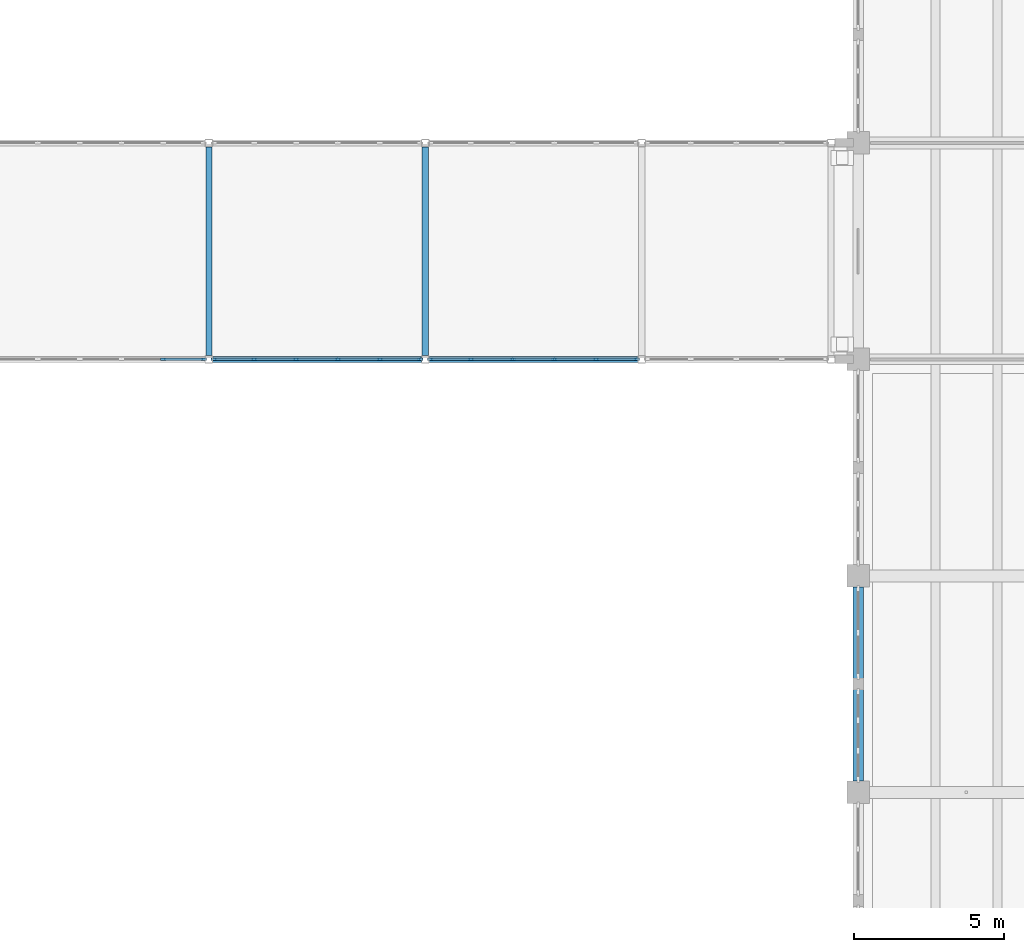
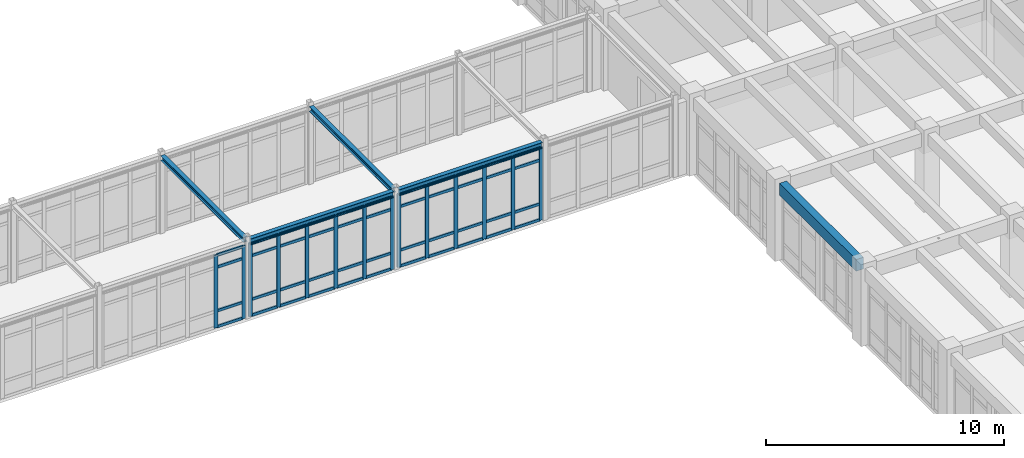
# One storey, part 58 of 136: 58 members, 5 beams, 3 elements without a shape of their own.
"""IFC4 building model written with IfcOpenShell, lengths in metres."""

import ifcopenshell
import ifcopenshell.guid

model = None  # the IFC model being written
_history = None  # IfcOwnerHistory: only IFC2X3 demands one
_inside = {}  # id of a spatial element -> (the spatial element, [elements in it])
_under = {}  # id of a project, library or spatial element -> (it, [spatial elements below it])
_declared = {}  # id of a project -> (the project, [libraries it declares])
_typed = {}  # id of a type object -> (the type object, [elements of that type])
_made_of = {}  # id of a material, layer set ... -> (it, [elements and type objects made of it])


def new_model(schema):
    """Start an empty IFC model of exactly this schema.

    Asked for "IFC4X3", IfcOpenShell would pick the latest addendum, in which some entities
    have other attributes; the version numbers below select the first issue.
    IFC2X3 requires an IfcOwnerHistory on every rooted entity: one is made here for all.
    """
    global model, _history
    if schema == "IFC4X3":
        model = ifcopenshell.file(schema_version=(4, 3, 0, 0))
    else:
        model = ifcopenshell.file(schema=schema)
    _inside.clear()
    _under.clear()
    _declared.clear()
    _typed.clear()
    _made_of.clear()
    _history = None
    if model.schema == "IFC2X3":
        org = make("IfcOrganization", Name="unknown")
        user = make(
            "IfcPersonAndOrganization",
            ThePerson=make("IfcPerson", FamilyName="unknown"),
            TheOrganization=org,
        )
        app = make(
            "IfcApplication",
            ApplicationDeveloper=org,
            Version="unknown",
            ApplicationFullName="unknown",
            ApplicationIdentifier="unknown",
        )
        _history = make(
            "IfcOwnerHistory",
            OwningUser=user,
            OwningApplication=app,
            ChangeAction="ADDED",
            CreationDate=0,
        )
    return model


def make(cls, **values):
    """One entity of the class cls with the attributes given. An attribute that is None is left unset."""
    return model.create_entity(
        cls, **{name: value for name, value in values.items() if value is not None}
    )


def rooted(cls, **values):
    """An entity with a GlobalId (a new one), such as an element, a storey or a relation."""
    return make(cls, GlobalId=ifcopenshell.guid.new(), OwnerHistory=_history, **values)


def si_unit(unit_type, name, prefix=None):
    """IfcSIUnit, for example si_unit("LENGTHUNIT", "METRE", prefix="MILLI")."""
    return make("IfcSIUnit", UnitType=unit_type, Prefix=prefix, Name=name)


def assignment(units):
    """IfcUnitAssignment: the units of a project."""
    return None if units is None else make("IfcUnitAssignment", Units=units)


def point(xyz):
    """IfcCartesianPoint."""
    return None if xyz is None else make("IfcCartesianPoint", Coordinates=xyz)


def direction(xyz):
    """IfcDirection."""
    return None if xyz is None else make("IfcDirection", DirectionRatios=xyz)


def frame(location, z_axis=None, x_axis=None):
    """IfcAxis2Placement3D, a coordinate frame: its origin and axes. An axis left out is left unset."""
    return make(
        "IfcAxis2Placement3D",
        Location=point(location),
        Axis=direction(z_axis),
        RefDirection=direction(x_axis),
    )


def frame_2d(location, x_axis=None):
    """IfcAxis2Placement2D, a coordinate frame in the plane: its origin and x axis."""
    return make(
        "IfcAxis2Placement2D", Location=point(location), RefDirection=direction(x_axis)
    )


def origin():
    """The frame at (0, 0, 0) with its axes left unset."""
    return frame((0.0, 0.0, 0.0))


def origin_2d():
    """The frame at (0, 0) in the plane with its x axis left unset."""
    return frame_2d((0.0, 0.0))


def place(relative_to, where):
    """IfcLocalPlacement: puts the frame where relative to a parent placement (None: the world)."""
    return make(
        "IfcLocalPlacement", PlacementRelTo=relative_to, RelativePlacement=where
    )


def context(
    kind, dimensions, precision=None, world=None, true_north=None, identifier=None
):
    """IfcGeometricRepresentationContext, for example the 3D "Model" context."""
    return make(
        "IfcGeometricRepresentationContext",
        ContextIdentifier=identifier,
        ContextType=kind,
        CoordinateSpaceDimension=dimensions,
        Precision=precision,
        WorldCoordinateSystem=world,
        TrueNorth=true_north,
    )


def subcontext(parent, identifier, kind, view, scale=None):
    """IfcGeometricRepresentationSubContext, for example "Body" below "Model"."""
    return make(
        "IfcGeometricRepresentationSubContext",
        ContextIdentifier=identifier,
        ContextType=kind,
        ParentContext=parent,
        TargetScale=scale,
        TargetView=view,
    )


def project(units=None, contexts=None):
    """IfcProject with its units and contexts."""
    return rooted(
        "IfcProject",
        Name="project",
        RepresentationContexts=contexts,
        UnitsInContext=assignment(units),
    )


def spatial(cls, under=None, at=None, **own):
    """A site, building, storey or space (cls), placed at a placement, below another one or the project."""
    s = rooted(cls, ObjectPlacement=at, **own)
    if under is not None:
        _under.setdefault(under.id(), (under, []))[1].append(s)
    return s


def profile(cls, at=None, kind="AREA", **sizes):
    """A parametric profile (cls). Its sizes go by their IFC names, for example OverallWidth=200.0."""
    return make(cls, ProfileType=kind, Position=at, **sizes)


def rectangle(**sizes):
    """IfcRectangleProfileDef."""
    return profile("IfcRectangleProfileDef", **sizes)


def i_section(**sizes):
    """IfcIShapeProfileDef."""
    return profile("IfcIShapeProfileDef", **sizes)


def extrude(swept, where, along, depth):
    """IfcExtrudedAreaSolid: the profile swept, set in the frame where, extruded along a direction by depth."""
    return make(
        "IfcExtrudedAreaSolid",
        SweptArea=swept,
        Position=where,
        ExtrudedDirection=direction(along),
        Depth=depth,
    )


def shape(context_of_items, identifier, shape_type, items):
    """IfcShapeRepresentation: the items that make up one representation, for example the "Body"."""
    return make(
        "IfcShapeRepresentation",
        ContextOfItems=context_of_items,
        RepresentationIdentifier=identifier,
        RepresentationType=shape_type,
        Items=items,
    )


def material(Name=None, Category=None):
    """IfcMaterial."""
    return make("IfcMaterial", Name=Name, Category=Category)


def layer(
    of_material, thickness, ventilated=None, Name=None, Category=None, Priority=None
):
    """IfcMaterialLayer: one layer of a wall or slab, of a material (None: an air gap)."""
    return make(
        "IfcMaterialLayer",
        Material=of_material,
        LayerThickness=thickness,
        IsVentilated=ventilated,
        Name=Name,
        Category=Category,
        Priority=Priority,
    )


def layer_set(layers, Name=None):
    """IfcMaterialLayerSet."""
    return make("IfcMaterialLayerSet", MaterialLayers=layers, LayerSetName=Name)


def material_profile(
    of_material, cross_section, Name=None, Category=None, Priority=None
):
    """IfcMaterialProfile: a cross section and its material."""
    return make(
        "IfcMaterialProfile",
        Name=Name,
        Material=of_material,
        Profile=cross_section,
        Priority=Priority,
        Category=Category,
    )


def profile_set(profiles, Name=None, composite=None):
    """IfcMaterialProfileSet."""
    return make(
        "IfcMaterialProfileSet",
        Name=Name,
        MaterialProfiles=profiles,
        CompositeProfile=composite,
    )


def made_of(thing, what):
    """Note that an element or type object is made of a material, layer set ...; save() writes the relation."""
    if what is not None:
        _made_of.setdefault(what.id(), (what, []))[1].append(thing)
    return thing


def type_object(cls, material=None, **own):
    """A type object (cls), such as IfcWallType, which elements share."""
    return made_of(rooted(cls, **own), material)


def element(
    cls,
    number,
    at=None,
    inside=None,
    cuts=None,
    type_object=None,
    material=None,
    context=None,
    identifier="Body",
    shape_type=None,
    held_by="IfcProductDefinitionShape",
    body=None,
    shapes=None,
    **own,
):
    """One element of the class cls, such as IfcWall. Its Tag is "e" and its number.

    at: its placement. inside: the storey or other place that contains it. cuts: it is an
    opening in that element (IfcRelVoidsElement). A single representation is given by context,
    identifier, shape_type and body (its items); several are given by shapes. held_by: the class
    of the entity that holds the representations. save() writes the other relations.
    """
    e = rooted(cls, Tag="e%d" % number, ObjectPlacement=at, **own)
    if body is not None:
        shapes = [shape(context, identifier, shape_type, body)]
    if shapes is not None:
        e.Representation = make(held_by, Representations=shapes)
    if inside is not None:
        _inside.setdefault(inside.id(), (inside, []))[1].append(e)
    if cuts is not None:
        rooted(
            "IfcRelVoidsElement", RelatingBuildingElement=cuts, RelatedOpeningElement=e
        )
    if type_object is not None:
        _typed.setdefault(type_object.id(), (type_object, []))[1].append(e)
    return made_of(e, material)


def aggregate(whole, parts):
    """IfcRelAggregates: a whole, such as a stair, and the parts it consists of."""
    return rooted("IfcRelAggregates", RelatingObject=whole, RelatedObjects=parts)


def save(model, path):
    """Write the relations noted so far, then the file.

    IfcRelAggregates (storeys below a building ...), IfcRelContainedInSpatialStructure (elements
    in a storey), IfcRelDefinesByType, IfcRelAssociatesMaterial and IfcRelDeclares: one each for
    every whole, place, type object, material and project.
    """
    for whole, parts in _under.values():
        aggregate(whole, parts)
    for where, things in _inside.values():
        rooted(
            "IfcRelContainedInSpatialStructure",
            RelatedElements=things,
            RelatingStructure=where,
        )
    for kind, things in _typed.values():
        rooted("IfcRelDefinesByType", RelatedObjects=things, RelatingType=kind)
    for what, things in _made_of.values():
        rooted("IfcRelAssociatesMaterial", RelatedObjects=things, RelatingMaterial=what)
    for by, libraries in _declared.values():
        rooted("IfcRelDeclares", RelatingContext=by, RelatedDefinitions=libraries)
    model.write(path)


model = new_model("IFC4")

# Units and contexts
model_context = context("Model", 3, precision=1e-05, world=origin(), true_north=direction((0.0, 1.0)))
body_context = subcontext(model_context, "Body", "Model", "MODEL_VIEW")
ifc_project = project(units=[si_unit("LENGTHUNIT", "METRE"), si_unit("AREAUNIT", "SQUARE_METRE"), si_unit("VOLUMEUNIT", "CUBIC_METRE"), si_unit("PLANEANGLEUNIT", "RADIAN"), si_unit("MASSUNIT", "GRAM", prefix="KILO")], contexts=[model_context])

# Site, building, storey
site_placement = place(None, origin())
site = spatial("IfcSite", under=ifc_project, at=site_placement, CompositionType="ELEMENT")
building_placement = place(site_placement, origin())
building = spatial("IfcBuilding", under=site, at=building_placement, Name="Koriwan Promenade Central Fire Station", CompositionType="ELEMENT")
storey_placement = place(building_placement, frame((0.0, 0.0, 5.39990234375)))
storey = spatial("IfcBuildingStorey", under=building, at=storey_placement, Name="L01", CompositionType="ELEMENT", Elevation=5.39990234375)

# Beam
ifc_material_1 = material(Name="Concrete C35/45", Category="concrete")
ifc_material_profile_1 = material_profile(ifc_material_1, rectangle(XDim=0.35009765625, YDim=0.60009765625, at=origin_2d()), Name="RC-BM-350x600")
ifc_profile_set_1 = profile_set([ifc_material_profile_1], Name="Concrete C35/45")
beam_type_1 = type_object("IfcBeamType", Name="Beam_RC-BM-350x600", PredefinedType="BEAM", material=ifc_profile_set_1)
beam_1_placement = place(storey_placement, frame((151.199951171875, 29.175048828125, 3.650146484375), z_axis=(0.0, 1.0, 0.0), x_axis=(-1.0, 0.0, 0.0)))
element("IfcBeam", 1, at=beam_1_placement, inside=storey, type_object=beam_type_1, Name="V5 L01 girder Y-664", PredefinedType="BEAM", context=body_context, shape_type="SweptSolid", body=[
    extrude(rectangle(XDim=0.35009765625, YDim=0.60009765625, at=origin_2d()), origin(), (0.0, 0.0, 1.0), 6.449951171875),
])

# Curtain wall, members
ifc_material_2 = material(Name="Aluminium EN AW-6063-T6 and low-E glazing", Category="aluminium")
ifc_layer = layer(ifc_material_2, 0.159912109375, Name="Aluminium EN AW-6063-T6 and low-E glazing")
ifc_layer_set = layer_set([ifc_layer], Name="Aluminium EN AW-6063-T6 and low-E glazing")
curtain_wall_type = type_object("IfcCurtainWallType", Name="CurtainWall_98_695x374", PredefinedType="USERDEFINED", material=ifc_layer_set)
curtain_wall_1_placement = place(storey_placement, origin())
curtain_wall_1 = element("IfcCurtainWall", 2, at=curtain_wall_1_placement, inside=storey, type_object=curtain_wall_type, Name="V5 L01 unitised curtain wall 310", ObjectType="UNITISED CURTAIN WALL", PredefinedType="USERDEFINED")
ifc_material_3 = material(Name="Aluminium EN AW-6063-T6", Category="aluminium")
ifc_material_profile_2 = material_profile(ifc_material_3, rectangle(XDim=0.074951171875, YDim=0.179931640625, at=origin_2d()), Name="ALU-MUL-75x180")
ifc_profile_set_2 = profile_set([ifc_material_profile_2], Name="Aluminium EN AW-6063-T6")
member_type_1 = type_object("IfcMemberType", Name="CWMullion_ALU-MUL-75x180", PredefinedType="MULLION", material=ifc_profile_set_2)
member_1_placement = place(storey_placement, frame((128.0849609375, 43.199951171875, 0.0), z_axis=(0.0, 0.0, 1.0), x_axis=(0.0, 1.0, 0.0)))
member_1 = element("IfcMember", 3, at=member_1_placement, type_object=member_type_1, Name="CW-98 mullion 5", PredefinedType="MULLION", context=body_context, shape_type="SweptSolid", body=[
    extrude(rectangle(XDim=0.074951171875, YDim=0.179931640625, at=origin_2d()), origin(), (0.0, 0.0, 1.0), 3.739990234375),
])
member_2_placement = place(storey_placement, frame((129.4375, 43.199951171875, 0.0), z_axis=(0.0, 0.0, 1.0), x_axis=(0.0, 1.0, 0.0)))
member_2 = element("IfcMember", 4, at=member_2_placement, type_object=member_type_1, Name="CW-98 mullion 6", PredefinedType="MULLION", context=body_context, shape_type="SweptSolid", body=[
    extrude(rectangle(XDim=0.074951171875, YDim=0.179931640625, at=origin_2d()), origin(), (0.0, 0.0, 1.0), 3.739990234375),
])

curtain_wall_2_placement = place(storey_placement, origin())
curtain_wall_2 = element("IfcCurtainWall", 5, at=curtain_wall_2_placement, inside=storey, type_object=curtain_wall_type, Name="V5 L01 unitised curtain wall 312", ObjectType="UNITISED CURTAIN WALL", PredefinedType="USERDEFINED")
member_3_placement = place(storey_placement, frame((129.762451171875, 43.199951171875, 0.0), z_axis=(0.0, 0.0, 1.0), x_axis=(0.0, 1.0, 0.0)))
member_3 = element("IfcMember", 6, at=member_3_placement, type_object=member_type_1, Name="CW-98 mullion 1", PredefinedType="MULLION", context=body_context, shape_type="SweptSolid", body=[
    extrude(rectangle(XDim=0.074951171875, YDim=0.179931640625, at=origin_2d()), origin(), (0.0, 0.0, 1.0), 3.739990234375),
])
member_4_placement = place(storey_placement, frame((131.114990234375, 43.199951171875, 0.0), z_axis=(0.0, 0.0, 1.0), x_axis=(0.0, 1.0, 0.0)))
member_4 = element("IfcMember", 7, at=member_4_placement, type_object=member_type_1, Name="CW-98 mullion 2", PredefinedType="MULLION", context=body_context, shape_type="SweptSolid", body=[
    extrude(rectangle(XDim=0.074951171875, YDim=0.179931640625, at=origin_2d()), origin(), (0.0, 0.0, 1.0), 3.739990234375),
])
member_5_placement = place(storey_placement, frame((132.5048828125, 43.199951171875, 0.0), z_axis=(0.0, 0.0, 1.0), x_axis=(0.0, 1.0, 0.0)))
member_5 = element("IfcMember", 8, at=member_5_placement, type_object=member_type_1, Name="CW-98 mullion 3", PredefinedType="MULLION", context=body_context, shape_type="SweptSolid", body=[
    extrude(rectangle(XDim=0.074951171875, YDim=0.179931640625, at=origin_2d()), origin(), (0.0, 0.0, 1.0), 3.739990234375),
])
member_6_placement = place(storey_placement, frame((133.89501953125, 43.199951171875, 0.0), z_axis=(0.0, 0.0, 1.0), x_axis=(0.0, 1.0, 0.0)))
member_6 = element("IfcMember", 9, at=member_6_placement, type_object=member_type_1, Name="CW-98 mullion 4", PredefinedType="MULLION", context=body_context, shape_type="SweptSolid", body=[
    extrude(rectangle(XDim=0.074951171875, YDim=0.179931640625, at=origin_2d()), origin(), (0.0, 0.0, 1.0), 3.739990234375),
])
member_7_placement = place(storey_placement, frame((135.284912109375, 43.199951171875, 0.0), z_axis=(0.0, 0.0, 1.0), x_axis=(0.0, 1.0, 0.0)))
member_7 = element("IfcMember", 10, at=member_7_placement, type_object=member_type_1, Name="CW-98 mullion 5", PredefinedType="MULLION", context=body_context, shape_type="SweptSolid", body=[
    extrude(rectangle(XDim=0.074951171875, YDim=0.179931640625, at=origin_2d()), origin(), (0.0, 0.0, 1.0), 3.739990234375),
])
member_8_placement = place(storey_placement, frame((136.637451171875, 43.199951171875, 0.0), z_axis=(0.0, 0.0, 1.0), x_axis=(0.0, 1.0, 0.0)))
member_8 = element("IfcMember", 11, at=member_8_placement, type_object=member_type_1, Name="CW-98 mullion 6", PredefinedType="MULLION", context=body_context, shape_type="SweptSolid", body=[
    extrude(rectangle(XDim=0.074951171875, YDim=0.179931640625, at=origin_2d()), origin(), (0.0, 0.0, 1.0), 3.739990234375),
])

curtain_wall_3_placement = place(storey_placement, origin())
curtain_wall_3 = element("IfcCurtainWall", 12, at=curtain_wall_3_placement, inside=storey, type_object=curtain_wall_type, Name="V5 L01 unitised curtain wall 314", ObjectType="UNITISED CURTAIN WALL", PredefinedType="USERDEFINED")
member_9_placement = place(storey_placement, frame((136.96240234375, 43.199951171875, 0.0), z_axis=(0.0, 0.0, 1.0), x_axis=(0.0, 1.0, 0.0)))
member_9 = element("IfcMember", 13, at=member_9_placement, type_object=member_type_1, Name="CW-98 mullion 1", PredefinedType="MULLION", context=body_context, shape_type="SweptSolid", body=[
    extrude(rectangle(XDim=0.074951171875, YDim=0.179931640625, at=origin_2d()), origin(), (0.0, 0.0, 1.0), 3.739990234375),
])
member_10_placement = place(storey_placement, frame((138.31494140625, 43.199951171875, 0.0), z_axis=(0.0, 0.0, 1.0), x_axis=(0.0, 1.0, 0.0)))
member_10 = element("IfcMember", 14, at=member_10_placement, type_object=member_type_1, Name="CW-98 mullion 2", PredefinedType="MULLION", context=body_context, shape_type="SweptSolid", body=[
    extrude(rectangle(XDim=0.074951171875, YDim=0.179931640625, at=origin_2d()), origin(), (0.0, 0.0, 1.0), 3.739990234375),
])
member_11_placement = place(storey_placement, frame((139.705078125, 43.199951171875, 0.0), z_axis=(0.0, 0.0, 1.0), x_axis=(0.0, 1.0, 0.0)))
member_11 = element("IfcMember", 15, at=member_11_placement, type_object=member_type_1, Name="CW-98 mullion 3", PredefinedType="MULLION", context=body_context, shape_type="SweptSolid", body=[
    extrude(rectangle(XDim=0.074951171875, YDim=0.179931640625, at=origin_2d()), origin(), (0.0, 0.0, 1.0), 3.739990234375),
])
member_12_placement = place(storey_placement, frame((141.094970703125, 43.199951171875, 0.0), z_axis=(0.0, 0.0, 1.0), x_axis=(0.0, 1.0, 0.0)))
member_12 = element("IfcMember", 16, at=member_12_placement, type_object=member_type_1, Name="CW-98 mullion 4", PredefinedType="MULLION", context=body_context, shape_type="SweptSolid", body=[
    extrude(rectangle(XDim=0.074951171875, YDim=0.179931640625, at=origin_2d()), origin(), (0.0, 0.0, 1.0), 3.739990234375),
])
member_13_placement = place(storey_placement, frame((142.485107421875, 43.199951171875, 0.0), z_axis=(0.0, 0.0, 1.0), x_axis=(0.0, 1.0, 0.0)))
member_13 = element("IfcMember", 17, at=member_13_placement, type_object=member_type_1, Name="CW-98 mullion 5", PredefinedType="MULLION", context=body_context, shape_type="SweptSolid", body=[
    extrude(rectangle(XDim=0.074951171875, YDim=0.179931640625, at=origin_2d()), origin(), (0.0, 0.0, 1.0), 3.739990234375),
])
member_14_placement = place(storey_placement, frame((143.83740234375, 43.199951171875, 0.0), z_axis=(0.0, 0.0, 1.0), x_axis=(0.0, 1.0, 0.0)))
member_14 = element("IfcMember", 18, at=member_14_placement, type_object=member_type_1, Name="CW-98 mullion 6", PredefinedType="MULLION", context=body_context, shape_type="SweptSolid", body=[
    extrude(rectangle(XDim=0.074951171875, YDim=0.179931640625, at=origin_2d()), origin(), (0.0, 0.0, 1.0), 3.739990234375),
])

# Member
ifc_material_profile_3 = material_profile(ifc_material_3, rectangle(XDim=0.074951171875, YDim=0.139892578125, at=origin_2d()), Name="ALU-TRN-75x140")
ifc_profile_set_3 = profile_set([ifc_material_profile_3], Name="Aluminium EN AW-6063-T6")
member_type_2 = type_object("IfcMemberType", Name="CWTransom_ALU-TRN-75x140", PredefinedType="USERDEFINED", material=ifc_profile_set_3)
member_15_placement = place(storey_placement, frame((128.12255859375, 43.199951171875, 0.03759765625), z_axis=(1.0, 0.0, 0.0), x_axis=(0.0, 1.0, 0.0)))
member_15 = element("IfcMember", 19, at=member_15_placement, type_object=member_type_2, Name="CW-98 transom 5.1", ObjectType="TRANSOM", PredefinedType="USERDEFINED", context=body_context, shape_type="SweptSolid", body=[
    extrude(rectangle(XDim=0.074951171875, YDim=0.139892578125, at=origin_2d()), origin(), (0.0, 0.0, 1.0), 1.27734375),
])

member_16_placement = place(storey_placement, frame((128.12255859375, 43.199951171875, 0.85009765625), z_axis=(1.0, 0.0, 0.0), x_axis=(0.0, 1.0, 0.0)))
member_16 = element("IfcMember", 20, at=member_16_placement, type_object=member_type_2, Name="CW-98 transom 5.2", ObjectType="TRANSOM", PredefinedType="USERDEFINED", context=body_context, shape_type="SweptSolid", body=[
    extrude(rectangle(XDim=0.074951171875, YDim=0.139892578125, at=origin_2d()), origin(), (0.0, 0.0, 1.0), 1.27734375),
])

member_17_placement = place(storey_placement, frame((128.12255859375, 43.199951171875, 3.090087890625), z_axis=(1.0, 0.0, 0.0), x_axis=(0.0, 1.0, 0.0)))
member_17 = element("IfcMember", 21, at=member_17_placement, type_object=member_type_2, Name="CW-98 transom 5.3", ObjectType="TRANSOM", PredefinedType="USERDEFINED", context=body_context, shape_type="SweptSolid", body=[
    extrude(rectangle(XDim=0.074951171875, YDim=0.139892578125, at=origin_2d()), origin(), (0.0, 0.0, 1.0), 1.27734375),
])

member_18_placement = place(storey_placement, frame((128.12255859375, 43.199951171875, 3.70263671875), z_axis=(1.0, 0.0, 0.0), x_axis=(0.0, 1.0, 0.0)))
member_18 = element("IfcMember", 22, at=member_18_placement, type_object=member_type_2, Name="CW-98 transom 5.4", ObjectType="TRANSOM", PredefinedType="USERDEFINED", context=body_context, shape_type="SweptSolid", body=[
    extrude(rectangle(XDim=0.074951171875, YDim=0.139892578125, at=origin_2d()), origin(), (0.0, 0.0, 1.0), 1.27734375),
])

aggregate(curtain_wall_1, [member_1, member_2, member_15, member_16, member_17, member_18])

member_19_placement = place(storey_placement, frame((129.800048828125, 43.199951171875, 0.03759765625), z_axis=(1.0, 0.0, 0.0), x_axis=(0.0, 1.0, 0.0)))
member_19 = element("IfcMember", 23, at=member_19_placement, type_object=member_type_2, Name="CW-98 transom 1.1", ObjectType="TRANSOM", PredefinedType="USERDEFINED", context=body_context, shape_type="SweptSolid", body=[
    extrude(rectangle(XDim=0.074951171875, YDim=0.139892578125, at=origin_2d()), origin(), (0.0, 0.0, 1.0), 1.27734375),
])

member_20_placement = place(storey_placement, frame((129.800048828125, 43.199951171875, 0.85009765625), z_axis=(1.0, 0.0, 0.0), x_axis=(0.0, 1.0, 0.0)))
member_20 = element("IfcMember", 24, at=member_20_placement, type_object=member_type_2, Name="CW-98 transom 1.2", ObjectType="TRANSOM", PredefinedType="USERDEFINED", context=body_context, shape_type="SweptSolid", body=[
    extrude(rectangle(XDim=0.074951171875, YDim=0.139892578125, at=origin_2d()), origin(), (0.0, 0.0, 1.0), 1.27734375),
])

member_21_placement = place(storey_placement, frame((129.800048828125, 43.199951171875, 3.090087890625), z_axis=(1.0, 0.0, 0.0), x_axis=(0.0, 1.0, 0.0)))
member_21 = element("IfcMember", 25, at=member_21_placement, type_object=member_type_2, Name="CW-98 transom 1.3", ObjectType="TRANSOM", PredefinedType="USERDEFINED", context=body_context, shape_type="SweptSolid", body=[
    extrude(rectangle(XDim=0.074951171875, YDim=0.139892578125, at=origin_2d()), origin(), (0.0, 0.0, 1.0), 1.27734375),
])

member_22_placement = place(storey_placement, frame((129.800048828125, 43.199951171875, 3.70263671875), z_axis=(1.0, 0.0, 0.0), x_axis=(0.0, 1.0, 0.0)))
member_22 = element("IfcMember", 26, at=member_22_placement, type_object=member_type_2, Name="CW-98 transom 1.4", ObjectType="TRANSOM", PredefinedType="USERDEFINED", context=body_context, shape_type="SweptSolid", body=[
    extrude(rectangle(XDim=0.074951171875, YDim=0.139892578125, at=origin_2d()), origin(), (0.0, 0.0, 1.0), 1.27734375),
])

member_23_placement = place(storey_placement, frame((131.152587890625, 43.199951171875, 0.03759765625), z_axis=(1.0, 0.0, 0.0), x_axis=(0.0, 1.0, 0.0)))
member_23 = element("IfcMember", 27, at=member_23_placement, type_object=member_type_2, Name="CW-98 transom 2.1", ObjectType="TRANSOM", PredefinedType="USERDEFINED", context=body_context, shape_type="SweptSolid", body=[
    extrude(rectangle(XDim=0.074951171875, YDim=0.139892578125, at=origin_2d()), origin(), (0.0, 0.0, 1.0), 1.31494140625),
])

member_24_placement = place(storey_placement, frame((131.152587890625, 43.199951171875, 0.85009765625), z_axis=(1.0, 0.0, 0.0), x_axis=(0.0, 1.0, 0.0)))
member_24 = element("IfcMember", 28, at=member_24_placement, type_object=member_type_2, Name="CW-98 transom 2.2", ObjectType="TRANSOM", PredefinedType="USERDEFINED", context=body_context, shape_type="SweptSolid", body=[
    extrude(rectangle(XDim=0.074951171875, YDim=0.139892578125, at=origin_2d()), origin(), (0.0, 0.0, 1.0), 1.31494140625),
])

member_25_placement = place(storey_placement, frame((131.152587890625, 43.199951171875, 3.090087890625), z_axis=(1.0, 0.0, 0.0), x_axis=(0.0, 1.0, 0.0)))
member_25 = element("IfcMember", 29, at=member_25_placement, type_object=member_type_2, Name="CW-98 transom 2.3", ObjectType="TRANSOM", PredefinedType="USERDEFINED", context=body_context, shape_type="SweptSolid", body=[
    extrude(rectangle(XDim=0.074951171875, YDim=0.139892578125, at=origin_2d()), origin(), (0.0, 0.0, 1.0), 1.31494140625),
])

member_26_placement = place(storey_placement, frame((131.152587890625, 43.199951171875, 3.70263671875), z_axis=(1.0, 0.0, 0.0), x_axis=(0.0, 1.0, 0.0)))
member_26 = element("IfcMember", 30, at=member_26_placement, type_object=member_type_2, Name="CW-98 transom 2.4", ObjectType="TRANSOM", PredefinedType="USERDEFINED", context=body_context, shape_type="SweptSolid", body=[
    extrude(rectangle(XDim=0.074951171875, YDim=0.139892578125, at=origin_2d()), origin(), (0.0, 0.0, 1.0), 1.31494140625),
])

member_27_placement = place(storey_placement, frame((132.54248046875, 43.199951171875, 0.03759765625), z_axis=(1.0, 0.0, 0.0), x_axis=(0.0, 1.0, 0.0)))
member_27 = element("IfcMember", 31, at=member_27_placement, type_object=member_type_2, Name="CW-98 transom 3.1", ObjectType="TRANSOM", PredefinedType="USERDEFINED", context=body_context, shape_type="SweptSolid", body=[
    extrude(rectangle(XDim=0.074951171875, YDim=0.139892578125, at=origin_2d()), origin(), (0.0, 0.0, 1.0), 1.31494140625),
])

member_28_placement = place(storey_placement, frame((132.54248046875, 43.199951171875, 0.85009765625), z_axis=(1.0, 0.0, 0.0), x_axis=(0.0, 1.0, 0.0)))
member_28 = element("IfcMember", 32, at=member_28_placement, type_object=member_type_2, Name="CW-98 transom 3.2", ObjectType="TRANSOM", PredefinedType="USERDEFINED", context=body_context, shape_type="SweptSolid", body=[
    extrude(rectangle(XDim=0.074951171875, YDim=0.139892578125, at=origin_2d()), origin(), (0.0, 0.0, 1.0), 1.31494140625),
])

member_29_placement = place(storey_placement, frame((132.54248046875, 43.199951171875, 3.090087890625), z_axis=(1.0, 0.0, 0.0), x_axis=(0.0, 1.0, 0.0)))
member_29 = element("IfcMember", 33, at=member_29_placement, type_object=member_type_2, Name="CW-98 transom 3.3", ObjectType="TRANSOM", PredefinedType="USERDEFINED", context=body_context, shape_type="SweptSolid", body=[
    extrude(rectangle(XDim=0.074951171875, YDim=0.139892578125, at=origin_2d()), origin(), (0.0, 0.0, 1.0), 1.31494140625),
])

member_30_placement = place(storey_placement, frame((132.54248046875, 43.199951171875, 3.70263671875), z_axis=(1.0, 0.0, 0.0), x_axis=(0.0, 1.0, 0.0)))
member_30 = element("IfcMember", 34, at=member_30_placement, type_object=member_type_2, Name="CW-98 transom 3.4", ObjectType="TRANSOM", PredefinedType="USERDEFINED", context=body_context, shape_type="SweptSolid", body=[
    extrude(rectangle(XDim=0.074951171875, YDim=0.139892578125, at=origin_2d()), origin(), (0.0, 0.0, 1.0), 1.31494140625),
])

member_31_placement = place(storey_placement, frame((133.9326171875, 43.199951171875, 0.03759765625), z_axis=(1.0, 0.0, 0.0), x_axis=(0.0, 1.0, 0.0)))
member_31 = element("IfcMember", 35, at=member_31_placement, type_object=member_type_2, Name="CW-98 transom 4.1", ObjectType="TRANSOM", PredefinedType="USERDEFINED", context=body_context, shape_type="SweptSolid", body=[
    extrude(rectangle(XDim=0.074951171875, YDim=0.139892578125, at=origin_2d()), origin(), (0.0, 0.0, 1.0), 1.31494140625),
])

member_32_placement = place(storey_placement, frame((133.9326171875, 43.199951171875, 0.85009765625), z_axis=(1.0, 0.0, 0.0), x_axis=(0.0, 1.0, 0.0)))
member_32 = element("IfcMember", 36, at=member_32_placement, type_object=member_type_2, Name="CW-98 transom 4.2", ObjectType="TRANSOM", PredefinedType="USERDEFINED", context=body_context, shape_type="SweptSolid", body=[
    extrude(rectangle(XDim=0.074951171875, YDim=0.139892578125, at=origin_2d()), origin(), (0.0, 0.0, 1.0), 1.31494140625),
])

member_33_placement = place(storey_placement, frame((133.9326171875, 43.199951171875, 3.090087890625), z_axis=(1.0, 0.0, 0.0), x_axis=(0.0, 1.0, 0.0)))
member_33 = element("IfcMember", 37, at=member_33_placement, type_object=member_type_2, Name="CW-98 transom 4.3", ObjectType="TRANSOM", PredefinedType="USERDEFINED", context=body_context, shape_type="SweptSolid", body=[
    extrude(rectangle(XDim=0.074951171875, YDim=0.139892578125, at=origin_2d()), origin(), (0.0, 0.0, 1.0), 1.31494140625),
])

member_34_placement = place(storey_placement, frame((133.9326171875, 43.199951171875, 3.70263671875), z_axis=(1.0, 0.0, 0.0), x_axis=(0.0, 1.0, 0.0)))
member_34 = element("IfcMember", 38, at=member_34_placement, type_object=member_type_2, Name="CW-98 transom 4.4", ObjectType="TRANSOM", PredefinedType="USERDEFINED", context=body_context, shape_type="SweptSolid", body=[
    extrude(rectangle(XDim=0.074951171875, YDim=0.139892578125, at=origin_2d()), origin(), (0.0, 0.0, 1.0), 1.31494140625),
])

member_35_placement = place(storey_placement, frame((135.322509765625, 43.199951171875, 0.03759765625), z_axis=(1.0, 0.0, 0.0), x_axis=(0.0, 1.0, 0.0)))
member_35 = element("IfcMember", 39, at=member_35_placement, type_object=member_type_2, Name="CW-98 transom 5.1", ObjectType="TRANSOM", PredefinedType="USERDEFINED", context=body_context, shape_type="SweptSolid", body=[
    extrude(rectangle(XDim=0.074951171875, YDim=0.139892578125, at=origin_2d()), origin(), (0.0, 0.0, 1.0), 1.277587890625),
])

member_36_placement = place(storey_placement, frame((135.322509765625, 43.199951171875, 0.85009765625), z_axis=(1.0, 0.0, 0.0), x_axis=(0.0, 1.0, 0.0)))
member_36 = element("IfcMember", 40, at=member_36_placement, type_object=member_type_2, Name="CW-98 transom 5.2", ObjectType="TRANSOM", PredefinedType="USERDEFINED", context=body_context, shape_type="SweptSolid", body=[
    extrude(rectangle(XDim=0.074951171875, YDim=0.139892578125, at=origin_2d()), origin(), (0.0, 0.0, 1.0), 1.277587890625),
])

member_37_placement = place(storey_placement, frame((135.322509765625, 43.199951171875, 3.090087890625), z_axis=(1.0, 0.0, 0.0), x_axis=(0.0, 1.0, 0.0)))
member_37 = element("IfcMember", 41, at=member_37_placement, type_object=member_type_2, Name="CW-98 transom 5.3", ObjectType="TRANSOM", PredefinedType="USERDEFINED", context=body_context, shape_type="SweptSolid", body=[
    extrude(rectangle(XDim=0.074951171875, YDim=0.139892578125, at=origin_2d()), origin(), (0.0, 0.0, 1.0), 1.277587890625),
])

member_38_placement = place(storey_placement, frame((135.322509765625, 43.199951171875, 3.70263671875), z_axis=(1.0, 0.0, 0.0), x_axis=(0.0, 1.0, 0.0)))
member_38 = element("IfcMember", 42, at=member_38_placement, type_object=member_type_2, Name="CW-98 transom 5.4", ObjectType="TRANSOM", PredefinedType="USERDEFINED", context=body_context, shape_type="SweptSolid", body=[
    extrude(rectangle(XDim=0.074951171875, YDim=0.139892578125, at=origin_2d()), origin(), (0.0, 0.0, 1.0), 1.277587890625),
])

aggregate(curtain_wall_2, [member_3, member_4, member_5, member_6, member_7, member_8, member_19, member_20, member_21, member_22, member_23, member_24, member_25, member_26, member_27, member_28, member_29, member_30, member_31, member_32, member_33, member_34, member_35, member_36, member_37, member_38])

member_39_placement = place(storey_placement, frame((137.0, 43.199951171875, 0.03759765625), z_axis=(1.0, 0.0, 0.0), x_axis=(0.0, 1.0, 0.0)))
member_39 = element("IfcMember", 43, at=member_39_placement, type_object=member_type_2, Name="CW-98 transom 1.1", ObjectType="TRANSOM", PredefinedType="USERDEFINED", context=body_context, shape_type="SweptSolid", body=[
    extrude(rectangle(XDim=0.074951171875, YDim=0.139892578125, at=origin_2d()), origin(), (0.0, 0.0, 1.0), 1.277587890625),
])

member_40_placement = place(storey_placement, frame((137.0, 43.199951171875, 0.85009765625), z_axis=(1.0, 0.0, 0.0), x_axis=(0.0, 1.0, 0.0)))
member_40 = element("IfcMember", 44, at=member_40_placement, type_object=member_type_2, Name="CW-98 transom 1.2", ObjectType="TRANSOM", PredefinedType="USERDEFINED", context=body_context, shape_type="SweptSolid", body=[
    extrude(rectangle(XDim=0.074951171875, YDim=0.139892578125, at=origin_2d()), origin(), (0.0, 0.0, 1.0), 1.277587890625),
])

member_41_placement = place(storey_placement, frame((137.0, 43.199951171875, 3.090087890625), z_axis=(1.0, 0.0, 0.0), x_axis=(0.0, 1.0, 0.0)))
member_41 = element("IfcMember", 45, at=member_41_placement, type_object=member_type_2, Name="CW-98 transom 1.3", ObjectType="TRANSOM", PredefinedType="USERDEFINED", context=body_context, shape_type="SweptSolid", body=[
    extrude(rectangle(XDim=0.074951171875, YDim=0.139892578125, at=origin_2d()), origin(), (0.0, 0.0, 1.0), 1.277587890625),
])

member_42_placement = place(storey_placement, frame((137.0, 43.199951171875, 3.70263671875), z_axis=(1.0, 0.0, 0.0), x_axis=(0.0, 1.0, 0.0)))
member_42 = element("IfcMember", 46, at=member_42_placement, type_object=member_type_2, Name="CW-98 transom 1.4", ObjectType="TRANSOM", PredefinedType="USERDEFINED", context=body_context, shape_type="SweptSolid", body=[
    extrude(rectangle(XDim=0.074951171875, YDim=0.139892578125, at=origin_2d()), origin(), (0.0, 0.0, 1.0), 1.277587890625),
])

member_43_placement = place(storey_placement, frame((138.3525390625, 43.199951171875, 0.03759765625), z_axis=(1.0, 0.0, 0.0), x_axis=(0.0, 1.0, 0.0)))
member_43 = element("IfcMember", 47, at=member_43_placement, type_object=member_type_2, Name="CW-98 transom 2.1", ObjectType="TRANSOM", PredefinedType="USERDEFINED", context=body_context, shape_type="SweptSolid", body=[
    extrude(rectangle(XDim=0.074951171875, YDim=0.139892578125, at=origin_2d()), origin(), (0.0, 0.0, 1.0), 1.31494140625),
])

member_44_placement = place(storey_placement, frame((138.3525390625, 43.199951171875, 0.85009765625), z_axis=(1.0, 0.0, 0.0), x_axis=(0.0, 1.0, 0.0)))
member_44 = element("IfcMember", 48, at=member_44_placement, type_object=member_type_2, Name="CW-98 transom 2.2", ObjectType="TRANSOM", PredefinedType="USERDEFINED", context=body_context, shape_type="SweptSolid", body=[
    extrude(rectangle(XDim=0.074951171875, YDim=0.139892578125, at=origin_2d()), origin(), (0.0, 0.0, 1.0), 1.31494140625),
])

member_45_placement = place(storey_placement, frame((138.3525390625, 43.199951171875, 3.090087890625), z_axis=(1.0, 0.0, 0.0), x_axis=(0.0, 1.0, 0.0)))
member_45 = element("IfcMember", 49, at=member_45_placement, type_object=member_type_2, Name="CW-98 transom 2.3", ObjectType="TRANSOM", PredefinedType="USERDEFINED", context=body_context, shape_type="SweptSolid", body=[
    extrude(rectangle(XDim=0.074951171875, YDim=0.139892578125, at=origin_2d()), origin(), (0.0, 0.0, 1.0), 1.31494140625),
])

member_46_placement = place(storey_placement, frame((138.3525390625, 43.199951171875, 3.70263671875), z_axis=(1.0, 0.0, 0.0), x_axis=(0.0, 1.0, 0.0)))
member_46 = element("IfcMember", 50, at=member_46_placement, type_object=member_type_2, Name="CW-98 transom 2.4", ObjectType="TRANSOM", PredefinedType="USERDEFINED", context=body_context, shape_type="SweptSolid", body=[
    extrude(rectangle(XDim=0.074951171875, YDim=0.139892578125, at=origin_2d()), origin(), (0.0, 0.0, 1.0), 1.31494140625),
])

member_47_placement = place(storey_placement, frame((139.742431640625, 43.199951171875, 0.03759765625), z_axis=(1.0, 0.0, 0.0), x_axis=(0.0, 1.0, 0.0)))
member_47 = element("IfcMember", 51, at=member_47_placement, type_object=member_type_2, Name="CW-98 transom 3.1", ObjectType="TRANSOM", PredefinedType="USERDEFINED", context=body_context, shape_type="SweptSolid", body=[
    extrude(rectangle(XDim=0.074951171875, YDim=0.139892578125, at=origin_2d()), origin(), (0.0, 0.0, 1.0), 1.315185546875),
])

member_48_placement = place(storey_placement, frame((139.742431640625, 43.199951171875, 0.85009765625), z_axis=(1.0, 0.0, 0.0), x_axis=(0.0, 1.0, 0.0)))
member_48 = element("IfcMember", 52, at=member_48_placement, type_object=member_type_2, Name="CW-98 transom 3.2", ObjectType="TRANSOM", PredefinedType="USERDEFINED", context=body_context, shape_type="SweptSolid", body=[
    extrude(rectangle(XDim=0.074951171875, YDim=0.139892578125, at=origin_2d()), origin(), (0.0, 0.0, 1.0), 1.315185546875),
])

member_49_placement = place(storey_placement, frame((139.742431640625, 43.199951171875, 3.090087890625), z_axis=(1.0, 0.0, 0.0), x_axis=(0.0, 1.0, 0.0)))
member_49 = element("IfcMember", 53, at=member_49_placement, type_object=member_type_2, Name="CW-98 transom 3.3", ObjectType="TRANSOM", PredefinedType="USERDEFINED", context=body_context, shape_type="SweptSolid", body=[
    extrude(rectangle(XDim=0.074951171875, YDim=0.139892578125, at=origin_2d()), origin(), (0.0, 0.0, 1.0), 1.315185546875),
])

member_50_placement = place(storey_placement, frame((139.742431640625, 43.199951171875, 3.70263671875), z_axis=(1.0, 0.0, 0.0), x_axis=(0.0, 1.0, 0.0)))
member_50 = element("IfcMember", 54, at=member_50_placement, type_object=member_type_2, Name="CW-98 transom 3.4", ObjectType="TRANSOM", PredefinedType="USERDEFINED", context=body_context, shape_type="SweptSolid", body=[
    extrude(rectangle(XDim=0.074951171875, YDim=0.139892578125, at=origin_2d()), origin(), (0.0, 0.0, 1.0), 1.315185546875),
])

member_51_placement = place(storey_placement, frame((141.132568359375, 43.199951171875, 0.03759765625), z_axis=(1.0, 0.0, 0.0), x_axis=(0.0, 1.0, 0.0)))
member_51 = element("IfcMember", 55, at=member_51_placement, type_object=member_type_2, Name="CW-98 transom 4.1", ObjectType="TRANSOM", PredefinedType="USERDEFINED", context=body_context, shape_type="SweptSolid", body=[
    extrude(rectangle(XDim=0.074951171875, YDim=0.139892578125, at=origin_2d()), origin(), (0.0, 0.0, 1.0), 1.31494140625),
])

member_52_placement = place(storey_placement, frame((141.132568359375, 43.199951171875, 0.85009765625), z_axis=(1.0, 0.0, 0.0), x_axis=(0.0, 1.0, 0.0)))
member_52 = element("IfcMember", 56, at=member_52_placement, type_object=member_type_2, Name="CW-98 transom 4.2", ObjectType="TRANSOM", PredefinedType="USERDEFINED", context=body_context, shape_type="SweptSolid", body=[
    extrude(rectangle(XDim=0.074951171875, YDim=0.139892578125, at=origin_2d()), origin(), (0.0, 0.0, 1.0), 1.31494140625),
])

member_53_placement = place(storey_placement, frame((141.132568359375, 43.199951171875, 3.090087890625), z_axis=(1.0, 0.0, 0.0), x_axis=(0.0, 1.0, 0.0)))
member_53 = element("IfcMember", 57, at=member_53_placement, type_object=member_type_2, Name="CW-98 transom 4.3", ObjectType="TRANSOM", PredefinedType="USERDEFINED", context=body_context, shape_type="SweptSolid", body=[
    extrude(rectangle(XDim=0.074951171875, YDim=0.139892578125, at=origin_2d()), origin(), (0.0, 0.0, 1.0), 1.31494140625),
])

member_54_placement = place(storey_placement, frame((141.132568359375, 43.199951171875, 3.70263671875), z_axis=(1.0, 0.0, 0.0), x_axis=(0.0, 1.0, 0.0)))
member_54 = element("IfcMember", 58, at=member_54_placement, type_object=member_type_2, Name="CW-98 transom 4.4", ObjectType="TRANSOM", PredefinedType="USERDEFINED", context=body_context, shape_type="SweptSolid", body=[
    extrude(rectangle(XDim=0.074951171875, YDim=0.139892578125, at=origin_2d()), origin(), (0.0, 0.0, 1.0), 1.31494140625),
])

member_55_placement = place(storey_placement, frame((142.5224609375, 43.199951171875, 0.03759765625), z_axis=(1.0, 0.0, 0.0), x_axis=(0.0, 1.0, 0.0)))
member_55 = element("IfcMember", 59, at=member_55_placement, type_object=member_type_2, Name="CW-98 transom 5.1", ObjectType="TRANSOM", PredefinedType="USERDEFINED", context=body_context, shape_type="SweptSolid", body=[
    extrude(rectangle(XDim=0.074951171875, YDim=0.139892578125, at=origin_2d()), origin(), (0.0, 0.0, 1.0), 1.277587890625),
])

member_56_placement = place(storey_placement, frame((142.5224609375, 43.199951171875, 0.85009765625), z_axis=(1.0, 0.0, 0.0), x_axis=(0.0, 1.0, 0.0)))
member_56 = element("IfcMember", 60, at=member_56_placement, type_object=member_type_2, Name="CW-98 transom 5.2", ObjectType="TRANSOM", PredefinedType="USERDEFINED", context=body_context, shape_type="SweptSolid", body=[
    extrude(rectangle(XDim=0.074951171875, YDim=0.139892578125, at=origin_2d()), origin(), (0.0, 0.0, 1.0), 1.277587890625),
])

member_57_placement = place(storey_placement, frame((142.5224609375, 43.199951171875, 3.090087890625), z_axis=(1.0, 0.0, 0.0), x_axis=(0.0, 1.0, 0.0)))
member_57 = element("IfcMember", 61, at=member_57_placement, type_object=member_type_2, Name="CW-98 transom 5.3", ObjectType="TRANSOM", PredefinedType="USERDEFINED", context=body_context, shape_type="SweptSolid", body=[
    extrude(rectangle(XDim=0.074951171875, YDim=0.139892578125, at=origin_2d()), origin(), (0.0, 0.0, 1.0), 1.277587890625),
])

member_58_placement = place(storey_placement, frame((142.5224609375, 43.199951171875, 3.70263671875), z_axis=(1.0, 0.0, 0.0), x_axis=(0.0, 1.0, 0.0)))
member_58 = element("IfcMember", 62, at=member_58_placement, type_object=member_type_2, Name="CW-98 transom 5.4", ObjectType="TRANSOM", PredefinedType="USERDEFINED", context=body_context, shape_type="SweptSolid", body=[
    extrude(rectangle(XDim=0.074951171875, YDim=0.139892578125, at=origin_2d()), origin(), (0.0, 0.0, 1.0), 1.277587890625),
])

aggregate(curtain_wall_3, [member_9, member_10, member_11, member_12, member_13, member_14, member_39, member_40, member_41, member_42, member_43, member_44, member_45, member_46, member_47, member_48, member_49, member_50, member_51, member_52, member_53, member_54, member_55, member_56, member_57, member_58])

# Beams
ifc_material_4 = material(Name="Steel ASTM A992 Grade 50", Category="steel")
ifc_material_profile_4 = material_profile(ifc_material_4, i_section(OverallWidth=0.202880859375, OverallDepth=0.251953125, WebThickness=0.008056640625, FlangeThickness=0.013427734375, FilletRadius=0.012939453125, at=origin_2d()), Name="W250x58")
ifc_profile_set_4 = profile_set([ifc_material_profile_4], Name="Steel ASTM A992 Grade 50")
beam_type_2 = type_object("IfcBeamType", Name="SteelBeam_W250x58", PredefinedType="JOIST", material=ifc_profile_set_4)
for number, where, z_axis, x_axis, name in (
    (63, (129.60009765625, 43.330078125, 3.89404296875), (0.0, 1.0, 0.0), (-1.0, 0.0, 0.0), "Bridge roof cross beam 1140"),
    (64, (136.800048828125, 43.330078125, 3.89404296875), (0.0, 1.0, 0.0), (-1.0, 0.0, 0.0), "Bridge roof cross beam 1142"),
):
    element("IfcBeam", number, at=place(storey_placement, frame(where, z_axis=z_axis, x_axis=x_axis)), inside=storey, type_object=beam_type_2, Name=name, PredefinedType="JOIST", context=body_context, shape_type="SweptSolid", body=[
        extrude(i_section(OverallWidth=0.202880859375, OverallDepth=0.251953125, WebThickness=0.008056640625, FlangeThickness=0.013427734375, FilletRadius=0.012939453125, at=origin_2d()), origin(), (0.0, 0.0, 1.0), 6.93994140625),
    ])
ifc_material_profile_5 = material_profile(ifc_material_4, i_section(OverallWidth=0.205078125, OverallDepth=0.31005859375, WebThickness=0.009521484375, FlangeThickness=0.016357421875, FilletRadius=0.014892578125, at=origin_2d()), Name="W310x74")
ifc_profile_set_5 = profile_set([ifc_material_profile_5], Name="Steel ASTM A992 Grade 50")
beam_type_3 = type_object("IfcBeamType", Name="SteelBeam_W310x74", PredefinedType="BEAM", material=ifc_profile_set_5)
beam_2_placement = place(storey_placement, frame((129.72998046875, 43.199951171875, 3.864990234375), z_axis=(1.0, 0.0, 0.0), x_axis=(0.0, 1.0, 0.0)))
element("IfcBeam", 65, at=beam_2_placement, inside=storey, type_object=beam_type_3, Name="Bridge roof girder 1120", PredefinedType="BEAM", context=body_context, shape_type="SweptSolid", body=[
    extrude(i_section(OverallWidth=0.205078125, OverallDepth=0.31005859375, WebThickness=0.009521484375, FlangeThickness=0.016357421875, FilletRadius=0.014892578125, at=origin_2d()), origin(), (0.0, 0.0, 1.0), 6.93994140625),
])
beam_3_placement = place(storey_placement, frame((136.929931640625, 43.199951171875, 3.864990234375), z_axis=(1.0, 0.0, 0.0), x_axis=(0.0, 1.0, 0.0)))
element("IfcBeam", 66, at=beam_3_placement, inside=storey, type_object=beam_type_3, Name="Bridge roof girder 1122", PredefinedType="BEAM", context=body_context, shape_type="SweptSolid", body=[
    extrude(i_section(OverallWidth=0.205078125, OverallDepth=0.31005859375, WebThickness=0.009521484375, FlangeThickness=0.016357421875, FilletRadius=0.014892578125, at=origin_2d()), origin(), (0.0, 0.0, 1.0), 6.940185546875),
])

save(model, "model.ifc")
